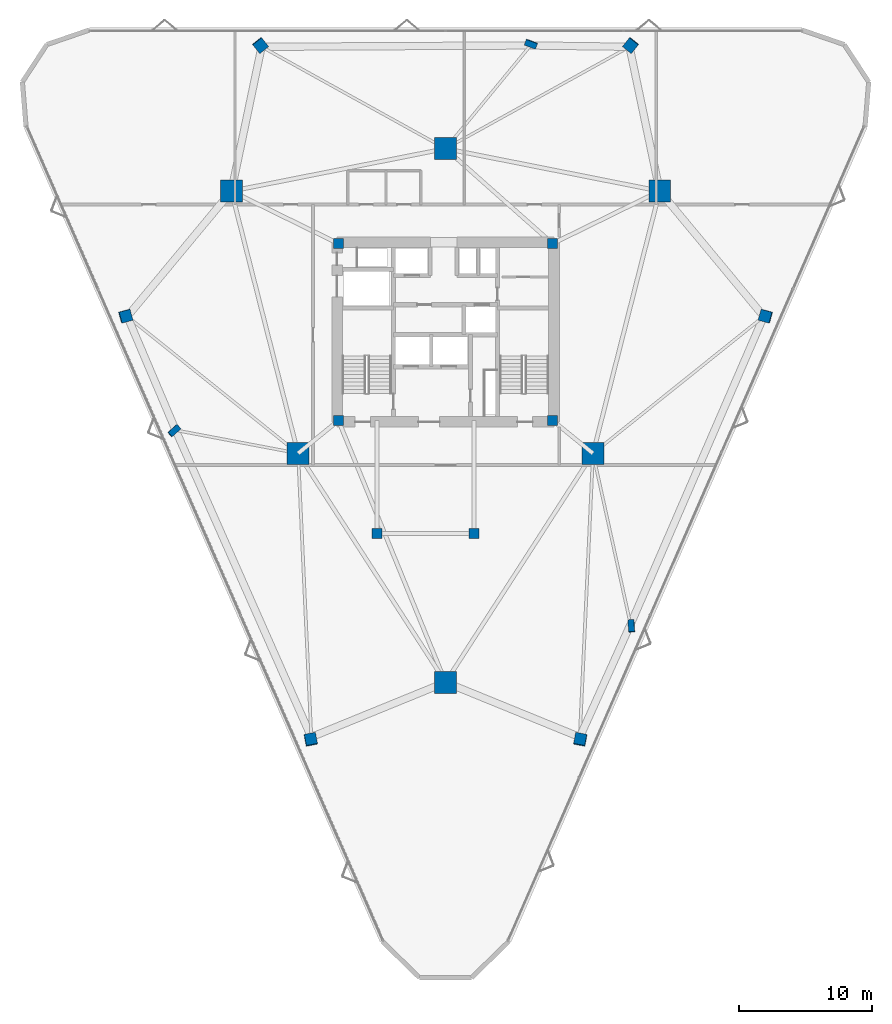
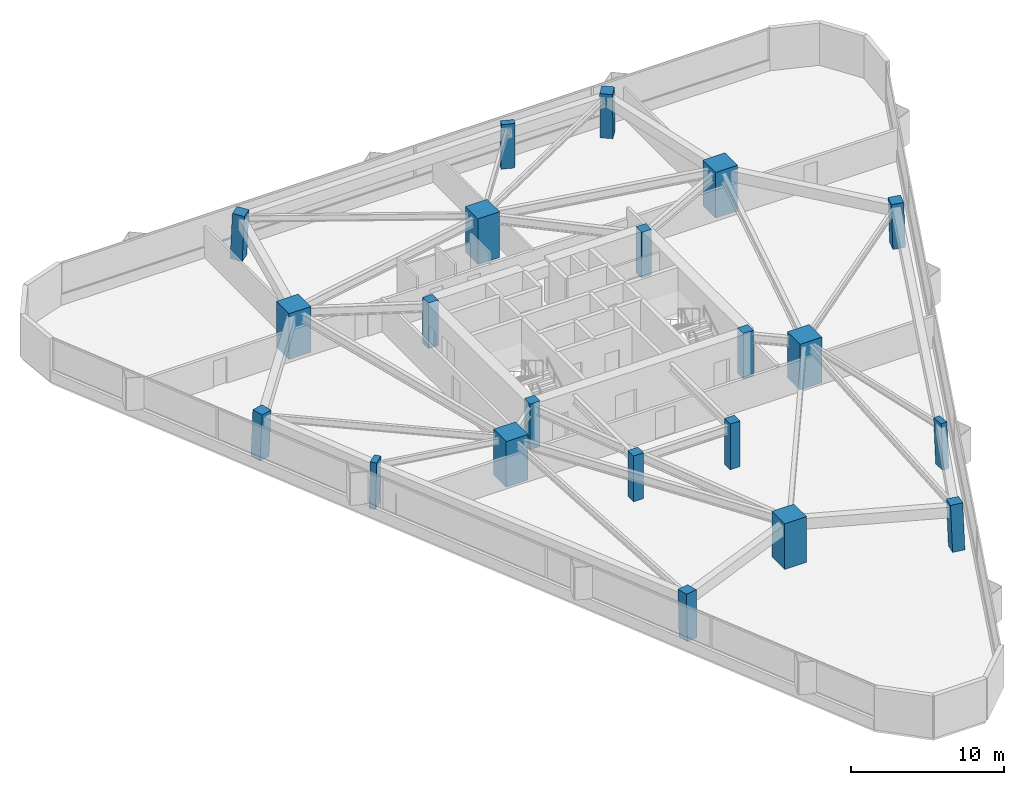
# One storey, part 1 of 19: 21 columns.
"""IFC4 building model written with IfcOpenShell, lengths in metres."""

from ifc_helpers import new_model, si_unit, direction, frame, origin, origin_2d, place, context, subcontext, project, spatial, rectangle, extrude, material, material_profile, profile_set, type_object, element, save


model = new_model("IFC4")

# Units and contexts
model_context = context("Model", 3, precision=1e-05, world=origin(), true_north=direction((0.0, 1.0)))
body_context = subcontext(model_context, "Body", "Model", "MODEL_VIEW")
ifc_project = project(units=[si_unit("LENGTHUNIT", "METRE"), si_unit("AREAUNIT", "SQUARE_METRE"), si_unit("VOLUMEUNIT", "CUBIC_METRE"), si_unit("PLANEANGLEUNIT", "RADIAN"), si_unit("MASSUNIT", "GRAM", prefix="KILO")], contexts=[model_context])

# Site, building, storey
site_placement = place(None, origin())
site = spatial("IfcSite", under=ifc_project, at=site_placement, CompositionType="ELEMENT")
building_placement = place(site_placement, origin())
building = spatial("IfcBuilding", under=site, at=building_placement, Name="Talyreon Biosciences Tower", CompositionType="ELEMENT")
storey_placement = place(building_placement, frame((0.0, 0.0, 82.300048828125)))
storey = spatial("IfcBuildingStorey", under=building, at=storey_placement, Name="L21", CompositionType="ELEMENT", Elevation=82.300048828125)

# Columns
ifc_material_1 = material(Name="Precast concrete C45/55", Category="concrete")
ifc_material_profile_1 = material_profile(ifc_material_1, rectangle(XDim=0.89990234375, YDim=0.449951171875, at=origin_2d()), Name="RC 900x450")
ifc_profile_set_1 = profile_set([ifc_material_profile_1], Name="Precast concrete C45/55")
column_type_1 = type_object("IfcColumnType", Name="FacadePilaster_900x450", PredefinedType="PILASTER", material=ifc_profile_set_1)
column_1_placement = place(storey_placement, frame((79.98046875, 45.885009765625, 0.0029296875), z_axis=(-0.019611953815, 0.038353752683, 0.999071749637), x_axis=(0.059993241045, -0.997418213074, 0.039467952279)))
element("IfcColumn", 1, at=column_1_placement, inside=storey, type_object=column_type_1, Name="L21 Facade Pilaster PL-SE", PredefinedType="PILASTER", context=body_context, shape_type="SweptSolid", body=[
    extrude(rectangle(XDim=0.89990234375, YDim=0.449951171875, at=origin_2d()), origin(), (0.0, 0.0, 1.0), 3.6474609375),
])
column_2_placement = place(storey_placement, frame((72.42822265625, 89.670166015625, 0.0029296875), z_axis=(-0.012386580681, -0.033477245085, 0.999362720278), x_axis=(-0.937861842681, 0.347008881792, 0.0)))
element("IfcColumn", 2, at=column_2_placement, inside=storey, type_object=column_type_1, Name="L21 Facade Pilaster PL-N", PredefinedType="PILASTER", context=body_context, shape_type="SweptSolid", body=[
    extrude(rectangle(XDim=0.89990234375, YDim=0.449951171875, at=origin_2d()), origin(), (0.0, 0.0, 1.0), 3.646484375),
])
column_3_placement = place(storey_placement, frame((45.59130859375, 60.583984375, 0.0029296875), z_axis=(0.032006454348, 0.010579539303, 0.999431668614), x_axis=(0.743677372259, 0.667824875032, -0.030885308468)))
element("IfcColumn", 3, at=column_3_placement, inside=storey, type_object=column_type_1, Name="L21 Facade Pilaster PL-SW", PredefinedType="PILASTER", context=body_context, shape_type="SweptSolid", body=[
    extrude(rectangle(XDim=0.89990234375, YDim=0.449951171875, at=origin_2d()), origin(), (0.0, 0.0, 1.0), 3.64599609375),
])
ifc_material_2 = material(Name="Concrete C60/75", Category="concrete")
ifc_material_profile_2 = material_profile(ifc_material_2, rectangle(XDim=1.64990234375, YDim=1.64990234375, at=origin_2d()), Name="RC 1650x1650")
ifc_profile_set_2 = profile_set([ifc_material_profile_2], Name="Concrete C60/75")
column_type_2 = type_object("IfcColumnType", Name="MegaColumn_1650", PredefinedType="COLUMN", material=ifc_profile_set_2)
for number, where, z_axis, x_axis, name in (
    (4, (66.0, 41.6669921875, 0.0), (0.0, 0.0, 1.0), (1.0, 0.0, 0.0), "L21 Composite Mega-Column MC1"),
    (5, (82.102294921875, 78.5986328125, 0.0), (0.0, 0.0, 1.0), (1.0, 0.0, 0.0), "L21 Composite Mega-Column MC2"),
    (6, (49.897705078125, 78.5986328125, 0.0), (0.0, 0.0, 1.0), (1.0, 0.0, 0.0), "L21 Composite Mega-Column MC3"),
    (7, (77.086181640625, 58.88037109375, 0.0), (0.0, 0.0, 1.0), (1.0, 0.0, 0.0), "L21 Composite Mega-Column MC4"),
    (8, (66.0, 81.788818359375, 0.0), (0.0, 0.0, 1.0), (1.0, 0.0, 0.0), "L21 Composite Mega-Column MC5"),
    (9, (54.913818359375, 58.88037109375, 0.0), (0.0, 0.0, 1.0), (1.0, 0.0, 0.0), "L21 Composite Mega-Column MC6"),
):
    element("IfcColumn", number, at=place(storey_placement, frame(where, z_axis=z_axis, x_axis=x_axis)), inside=storey, type_object=column_type_2, Name=name, PredefinedType="COLUMN", context=body_context, shape_type="SweptSolid", body=[
        extrude(rectangle(XDim=1.64990234375, YDim=1.64990234375, at=origin_2d()), origin(), (0.0, 0.0, 1.0), 3.64990234375),
    ])
ifc_material_3 = material(Name="Concrete C50/60", Category="concrete")
ifc_material_profile_3 = material_profile(ifc_material_3, rectangle(XDim=0.75, YDim=0.75, at=origin_2d()), Name="RC 750x750")
ifc_profile_set_3 = profile_set([ifc_material_profile_3], Name="Concrete C50/60")
column_type_3 = type_object("IfcColumnType", Name="PerimeterColumn_750", PredefinedType="COLUMN", material=ifc_profile_set_3)
for number, where, z_axis, x_axis, name in (
    (10, (57.949951171875, 61.35009765625, 0.0), (0.0, 0.0, 1.0), (1.0, 0.0, 0.0), "L21 Core Column CC1"),
    (11, (74.050048828125, 61.35009765625, 0.0), (0.0, 0.0, 1.0), (1.0, 0.0, 0.0), "L21 Core Column CC2"),
    (12, (74.050048828125, 74.64990234375, 0.0), (0.0, 0.0, 1.0), (1.0, 0.0, 0.0), "L21 Core Column CC3"),
    (13, (57.949951171875, 74.64990234375, 0.0), (0.0, 0.0, 1.0), (1.0, 0.0, 0.0), "L21 Core Column CC4"),
    (14, (60.85009765625, 52.840087890625, 0.0), (0.0, 0.0, 1.0), (1.0, 0.0, 0.0), "L21 Core Column CSW"),
    (15, (68.14990234375, 52.840087890625, 0.0), (0.0, 0.0, 1.0), (1.0, 0.0, 0.0), "L21 Core Column CSE"),
):
    element("IfcColumn", number, at=place(storey_placement, frame(where, z_axis=z_axis, x_axis=x_axis)), inside=storey, type_object=column_type_3, Name=name, PredefinedType="COLUMN", context=body_context, shape_type="SweptSolid", body=[
        extrude(rectangle(XDim=0.75, YDim=0.75, at=origin_2d()), origin(), (0.0, 0.0, 1.0), 3.64990234375),
    ])
ifc_material_profile_4 = material_profile(ifc_material_2, rectangle(XDim=0.85009765625, YDim=0.85009765625, at=origin_2d()), Name="RC 850x850")
ifc_profile_set_4 = profile_set([ifc_material_profile_4], Name="Concrete C60/75")
column_type_4 = type_object("IfcColumnType", Name="PerimeterColumn_850", PredefinedType="COLUMN", material=ifc_profile_set_4)
column_4_placement = place(storey_placement, frame((76.138916015625, 37.350830078125, 0.0029296875), z_axis=(-0.012375096162, 0.054517315524, 0.998436136818), x_axis=(-0.188245835296, -0.980785391155, 0.051220327902)))
element("IfcColumn", 16, at=column_4_placement, inside=storey, type_object=column_type_4, Name="L21 Tapering Perimeter Column PC-SE1", PredefinedType="COLUMN", context=body_context, shape_type="SweptSolid", body=[
    extrude(rectangle(XDim=0.85009765625, YDim=0.85009765625, at=origin_2d()), origin(), (0.0, 0.0, 1.0), 3.649658203125),
])
column_5_placement = place(storey_placement, frame((90.06689453125, 69.198486328125, 0.0029296875), z_axis=(-0.039229493406, -0.00569028488, 0.999214024874), x_axis=(0.963532106375, -0.265116620286, 0.036318833017)))
element("IfcColumn", 17, at=column_5_placement, inside=storey, type_object=column_type_4, Name="L21 Tapering Perimeter Column PC-SE2", PredefinedType="COLUMN", context=body_context, shape_type="SweptSolid", body=[
    extrude(rectangle(XDim=0.85009765625, YDim=0.85009765625, at=origin_2d()), origin(), (0.0, 0.0, 1.0), 3.64697265625),
])
for number, where, z_axis, x_axis, name in (
    (18, (79.927978515625, 89.5703125, 0.0029296875), (-0.026907963191, -0.033534551141, 0.999075270136), (-0.779956681152, 0.625833504637, 0.0), "L21 Tapering Perimeter Column PC-N1"),
    (19, (52.072021484375, 89.5703125, 0.0029296875), (0.026841076243, -0.033534611465, 0.999077067328), (-0.780716755404, -0.624885067698, 0.0), "L21 Tapering Perimeter Column PC-N2"),
):
    element("IfcColumn", number, at=place(storey_placement, frame(where, z_axis=z_axis, x_axis=x_axis)), inside=storey, type_object=column_type_4, Name=name, PredefinedType="COLUMN", context=body_context, shape_type="SweptSolid", body=[
        extrude(rectangle(XDim=0.85009765625, YDim=0.85009765625, at=origin_2d()), origin(), (0.0, 0.0, 1.0), 3.6474609375),
    ])
column_6_placement = place(storey_placement, frame((41.93310546875, 69.198486328125, 0.0029296875), z_axis=(0.039229493406, -0.00569028488, 0.999214024874), x_axis=(0.963532106375, 0.265116620286, -0.036318833017)))
element("IfcColumn", 20, at=column_6_placement, inside=storey, type_object=column_type_4, Name="L21 Tapering Perimeter Column PC-SW1", PredefinedType="COLUMN", context=body_context, shape_type="SweptSolid", body=[
    extrude(rectangle(XDim=0.85009765625, YDim=0.85009765625, at=origin_2d()), origin(), (0.0, 0.0, 1.0), 3.64697265625),
])
column_7_placement = place(storey_placement, frame((55.861083984375, 37.350830078125, 0.0029296875), z_axis=(0.012375096162, 0.054517315524, 0.998436136818), x_axis=(-0.188245835296, 0.980785391155, -0.051220327902)))
element("IfcColumn", 21, at=column_7_placement, inside=storey, type_object=column_type_4, Name="L21 Tapering Perimeter Column PC-SW2", PredefinedType="COLUMN", context=body_context, shape_type="SweptSolid", body=[
    extrude(rectangle(XDim=0.85009765625, YDim=0.85009765625, at=origin_2d()), origin(), (0.0, 0.0, 1.0), 3.649658203125),
])

save(model, "model.ifc")
